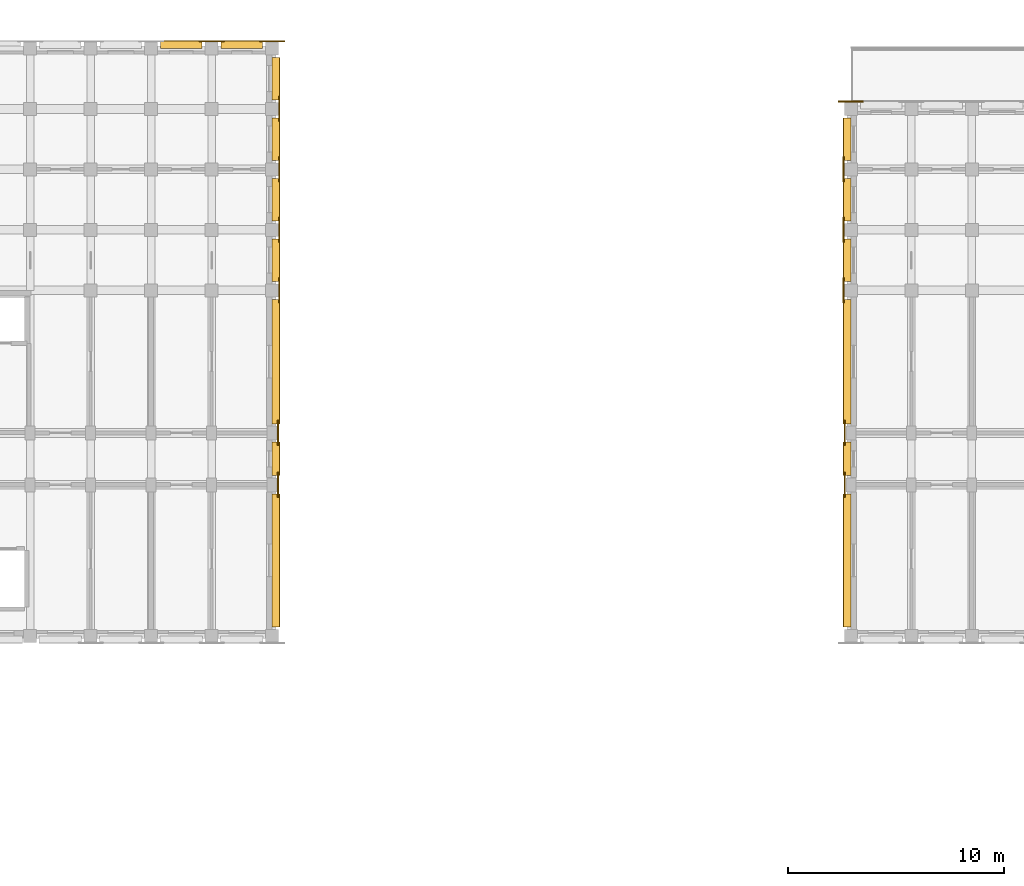
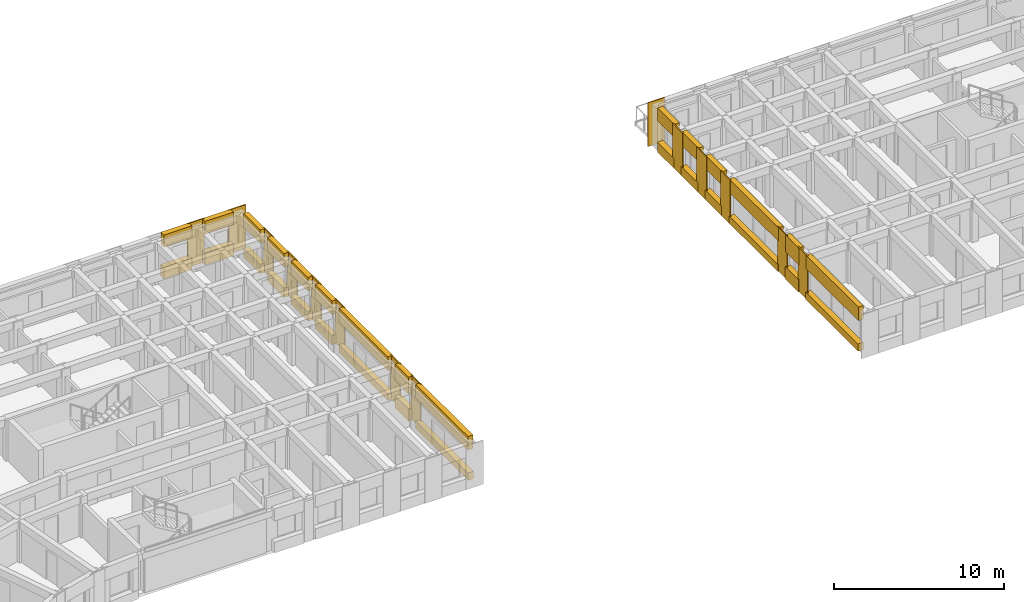
# One storey, part 48 of 53: 44 coverings.
"""IFC4 building model written with IfcOpenShell, lengths in metres."""

from ifc_helpers import new_model, si_unit, direction, frame, origin, place, context, subcontext, project, spatial, polyline, outline, extrude, material, layer, layer_set, type_object, element, save


model = new_model("IFC4")

# Units and contexts
model_context = context("Model", 3, precision=1e-05, world=origin(), true_north=direction((0.0, 1.0)))
body_context = subcontext(model_context, "Body", "Model", "MODEL_VIEW")
ifc_project = project(units=[si_unit("LENGTHUNIT", "METRE"), si_unit("AREAUNIT", "SQUARE_METRE"), si_unit("VOLUMEUNIT", "CUBIC_METRE"), si_unit("PLANEANGLEUNIT", "RADIAN"), si_unit("MASSUNIT", "GRAM", prefix="KILO")], contexts=[model_context])

# Site, building, storey
site_placement = place(None, origin())
site = spatial("IfcSite", under=ifc_project, at=site_placement, CompositionType="ELEMENT")
building_placement = place(site_placement, origin())
building = spatial("IfcBuilding", under=site, at=building_placement, Name="Kiranvali Square Residences", CompositionType="ELEMENT")
storey_placement = place(building_placement, frame((0.0, 0.0, 30.75)))
storey = spatial("IfcBuildingStorey", under=building, at=storey_placement, Name="L09", CompositionType="ELEMENT", Elevation=30.75)

# Coverings
ifc_material = material(Name="Honed Porbandar limestone ashlar facade cladding", Category="masonry")
ifc_layer_1 = layer(ifc_material, 0.054931640625)
ifc_layer_set_1 = layer_set([ifc_layer_1], Name="Honed Porbandar limestone ashlar facade cladding")
covering_type_1 = type_object("IfcCoveringType", Name="COV-CLAD-PIER-UP", PredefinedType="CLADDING", material=ifc_layer_set_1)
covering_1_placement = place(storey_placement, frame((0.0, 0.0, 0.0048828125)))
element("IfcCovering", 1, at=covering_1_placement, inside=storey, type_object=covering_type_1, Name="L09 Classical limestone pilaster casing CLAD-PR-A-L09-U195", PredefinedType="CLADDING", context=body_context, shape_type="SweptSolid", body=[
    extrude(outline(polyline([(67.219970703125, 134.1005859375), (68.3798828125, 134.1005859375), (68.3798828125, 134.16796875), (67.219970703125, 134.16796875), (67.219970703125, 134.1005859375)])), origin(), (0.0, 0.0, 1.0), 3.14013671875),
])
covering_2_placement = place(storey_placement, frame((0.0, 0.0, 0.0048828125)))
element("IfcCovering", 2, at=covering_2_placement, inside=storey, type_object=covering_type_1, Name="L09 Classical limestone pilaster casing CLAD-PR-A-L09-U224", PredefinedType="CLADDING", context=body_context, shape_type="SweptSolid", body=[
    extrude(outline(polyline([(70.02001953125, 134.1005859375), (71.179931640625, 134.1005859375), (71.179931640625, 134.16796875), (70.02001953125, 134.16796875), (70.02001953125, 134.1005859375)])), origin(), (0.0, 0.0, 1.0), 3.14013671875),
])
covering_3_placement = place(storey_placement, frame((0.0, 0.0, 0.0048828125)))
element("IfcCovering", 3, at=covering_3_placement, inside=storey, type_object=covering_type_1, Name="L09 Classical limestone pilaster casing CLAD-PRA1E-A-L09-R258", PredefinedType="CLADDING", context=body_context, shape_type="SweptSolid", body=[
    extrude(outline(polyline([(70.91796875, 113.02001953125), (70.91796875, 114.179931640625), (70.8505859375, 114.179931640625), (70.8505859375, 113.02001953125), (70.91796875, 113.02001953125)])), origin(), (0.0, 0.0, 1.0), 3.14013671875),
])
covering_4_placement = place(storey_placement, frame((0.0, 0.0, 0.0048828125)))
element("IfcCovering", 4, at=covering_4_placement, inside=storey, type_object=covering_type_1, Name="L09 Classical limestone pilaster casing CLAD-PRA1E-A-L09-R282", PredefinedType="CLADDING", context=body_context, shape_type="SweptSolid", body=[
    extrude(outline(polyline([(70.91796875, 115.419921875), (70.91796875, 116.580078125), (70.8505859375, 116.580078125), (70.8505859375, 115.419921875), (70.91796875, 115.419921875)])), origin(), (0.0, 0.0, 1.0), 3.14013671875),
])
covering_5_placement = place(storey_placement, frame((0.0, 0.0, 0.0048828125)))
element("IfcCovering", 5, at=covering_5_placement, inside=storey, type_object=covering_type_1, Name="L09 Classical limestone pilaster casing CLAD-PRA1E-A-L09-R348", PredefinedType="CLADDING", context=body_context, shape_type="SweptSolid", body=[
    extrude(outline(polyline([(70.968017578125, 122.02001953125), (70.968017578125, 123.179931640625), (70.900390625, 123.179931640625), (70.900390625, 122.02001953125), (70.968017578125, 122.02001953125)])), origin(), (0.0, 0.0, 1.0), 3.14013671875),
])
covering_6_placement = place(storey_placement, frame((0.0, 0.0, 0.0048828125)))
element("IfcCovering", 6, at=covering_6_placement, inside=storey, type_object=covering_type_1, Name="L09 Classical limestone pilaster casing CLAD-PRA1E-A-L09-R376", PredefinedType="CLADDING", context=body_context, shape_type="SweptSolid", body=[
    extrude(outline(polyline([(70.968017578125, 124.820068359375), (70.968017578125, 125.97998046875), (70.900390625, 125.97998046875), (70.900390625, 124.820068359375), (70.968017578125, 124.820068359375)])), origin(), (0.0, 0.0, 1.0), 3.14013671875),
])
covering_7_placement = place(storey_placement, frame((0.0, 0.0, 0.0048828125)))
element("IfcCovering", 7, at=covering_7_placement, inside=storey, type_object=covering_type_1, Name="L09 Classical limestone pilaster casing CLAD-PRA1E-A-L09-R404", PredefinedType="CLADDING", context=body_context, shape_type="SweptSolid", body=[
    extrude(outline(polyline([(70.968017578125, 127.6201171875), (70.968017578125, 128.780029296875), (70.900390625, 128.780029296875), (70.900390625, 127.6201171875), (70.968017578125, 127.6201171875)])), origin(), (0.0, 0.0, 1.0), 3.14013671875),
])
covering_8_placement = place(storey_placement, frame((0.0, 0.0, 0.0048828125)))
element("IfcCovering", 8, at=covering_8_placement, inside=storey, type_object=covering_type_1, Name="L09 Classical limestone pilaster casing CLAD-PRA1E-A-L09-R432", PredefinedType="CLADDING", context=body_context, shape_type="SweptSolid", body=[
    extrude(outline(polyline([(70.968017578125, 130.419921875), (70.968017578125, 131.580078125), (70.900390625, 131.580078125), (70.900390625, 130.419921875), (70.968017578125, 130.419921875)])), origin(), (0.0, 0.0, 1.0), 3.14013671875),
])
covering_9_placement = place(storey_placement, frame((0.0, 0.0, 0.0048828125)))
element("IfcCovering", 9, at=covering_9_placement, inside=storey, type_object=covering_type_1, Name="L09 Classical limestone pilaster casing CLAD-PR-B-L09-U224", PredefinedType="CLADDING", context=body_context, shape_type="SweptSolid", body=[
    extrude(outline(polyline([(97.97998046875, 131.367919921875), (96.820068359375, 131.367919921875), (96.820068359375, 131.300537109375), (97.97998046875, 131.300537109375), (97.97998046875, 131.367919921875)])), origin(), (0.0, 0.0, 1.0), 3.14013671875),
])
covering_10_placement = place(storey_placement, frame((0.0, 0.0, 0.0048828125)))
element("IfcCovering", 10, at=covering_10_placement, inside=storey, type_object=covering_type_1, Name="L09 Classical limestone pilaster casing CLAD-PRA1E-B-L09-R258", PredefinedType="CLADDING", context=body_context, shape_type="SweptSolid", body=[
    extrude(outline(polyline([(97.1494140625, 113.02001953125), (97.1494140625, 114.179931640625), (97.08203125, 114.179931640625), (97.08203125, 113.02001953125), (97.1494140625, 113.02001953125)])), origin(), (0.0, 0.0, 1.0), 3.14013671875),
])
covering_11_placement = place(storey_placement, frame((0.0, 0.0, 0.0048828125)))
element("IfcCovering", 11, at=covering_11_placement, inside=storey, type_object=covering_type_1, Name="L09 Classical limestone pilaster casing CLAD-PRA1E-B-L09-R282", PredefinedType="CLADDING", context=body_context, shape_type="SweptSolid", body=[
    extrude(outline(polyline([(97.1494140625, 115.419921875), (97.1494140625, 116.580078125), (97.08203125, 116.580078125), (97.08203125, 115.419921875), (97.1494140625, 115.419921875)])), origin(), (0.0, 0.0, 1.0), 3.14013671875),
])
covering_12_placement = place(storey_placement, frame((0.0, 0.0, 0.0048828125)))
element("IfcCovering", 12, at=covering_12_placement, inside=storey, type_object=covering_type_1, Name="L09 Classical limestone pilaster casing CLAD-PRA1E-B-L09-R348", PredefinedType="CLADDING", context=body_context, shape_type="SweptSolid", body=[
    extrude(outline(polyline([(97.099609375, 122.02001953125), (97.099609375, 123.179931640625), (97.031982421875, 123.179931640625), (97.031982421875, 122.02001953125), (97.099609375, 122.02001953125)])), origin(), (0.0, 0.0, 1.0), 3.14013671875),
])
covering_13_placement = place(storey_placement, frame((0.0, 0.0, 0.0048828125)))
element("IfcCovering", 13, at=covering_13_placement, inside=storey, type_object=covering_type_1, Name="L09 Classical limestone pilaster casing CLAD-PRA1E-B-L09-R376", PredefinedType="CLADDING", context=body_context, shape_type="SweptSolid", body=[
    extrude(outline(polyline([(97.099609375, 124.820068359375), (97.099609375, 125.97998046875), (97.031982421875, 125.97998046875), (97.031982421875, 124.820068359375), (97.099609375, 124.820068359375)])), origin(), (0.0, 0.0, 1.0), 3.14013671875),
])
covering_14_placement = place(storey_placement, frame((0.0, 0.0, 0.0048828125)))
element("IfcCovering", 14, at=covering_14_placement, inside=storey, type_object=covering_type_1, Name="L09 Classical limestone pilaster casing CLAD-PRA1E-B-L09-R404", PredefinedType="CLADDING", context=body_context, shape_type="SweptSolid", body=[
    extrude(outline(polyline([(97.099609375, 127.6201171875), (97.099609375, 128.780029296875), (97.031982421875, 128.780029296875), (97.031982421875, 127.6201171875), (97.099609375, 127.6201171875)])), origin(), (0.0, 0.0, 1.0), 3.14013671875),
])
ifc_layer_2 = layer(ifc_material, 0.360107421875)
ifc_layer_set_2 = layer_set([ifc_layer_2], Name="Honed Porbandar limestone ashlar facade cladding")
covering_type_2 = type_object("IfcCoveringType", Name="COV-CLAD-WALL", PredefinedType="CLADDING", material=ifc_layer_set_2)
covering_15_placement = place(storey_placement, frame((0.0, 0.0, 2.27197265625)))
element("IfcCovering", 15, at=covering_15_placement, inside=storey, type_object=covering_type_2, Name="L09 light limestone spandrel lintel A-L09-A1O-4", PredefinedType="CLADDING", context=body_context, shape_type="SweptSolid", body=[
    extrude(outline(polyline([(65.43994140625, 133.800537109375), (67.360107421875, 133.800537109375), (67.360107421875, 134.14990234375), (65.43994140625, 134.14990234375), (65.43994140625, 133.800537109375)])), origin(), (0.0, 0.0, 1.0), 0.873046875),
])
covering_16_placement = place(storey_placement, frame((0.0, 0.0, 0.0048828125)))
element("IfcCovering", 16, at=covering_16_placement, inside=storey, type_object=covering_type_2, Name="L09 limestone window sill apron A-L09-A1O-4", PredefinedType="CLADDING", context=body_context, shape_type="SweptSolid", body=[
    extrude(outline(polyline([(65.43994140625, 133.800537109375), (67.360107421875, 133.800537109375), (67.360107421875, 134.179931640625), (65.43994140625, 134.179931640625), (65.43994140625, 133.800537109375)])), origin(), (0.0, 0.0, 1.0), 0.817138671875),
])
covering_17_placement = place(storey_placement, frame((0.0, 0.0, 2.22998046875)))
element("IfcCovering", 17, at=covering_17_placement, inside=storey, type_object=covering_type_2, Name="L09 light limestone spandrel lintel A-L09-A1O-5", PredefinedType="CLADDING", context=body_context, shape_type="SweptSolid", body=[
    extrude(outline(polyline([(68.239990234375, 133.800537109375), (70.159912109375, 133.800537109375), (70.159912109375, 134.14990234375), (68.239990234375, 134.14990234375), (68.239990234375, 133.800537109375)])), origin(), (0.0, 0.0, 1.0), 0.9150390625),
])
covering_18_placement = place(storey_placement, frame((0.0, 0.0, 0.0048828125)))
element("IfcCovering", 18, at=covering_18_placement, inside=storey, type_object=covering_type_2, Name="L09 limestone window sill apron A-L09-A1O-5", PredefinedType="CLADDING", context=body_context, shape_type="SweptSolid", body=[
    extrude(outline(polyline([(68.239990234375, 133.800537109375), (70.159912109375, 133.800537109375), (70.159912109375, 134.179931640625), (68.239990234375, 134.179931640625), (68.239990234375, 133.800537109375)])), origin(), (0.0, 0.0, 1.0), 0.875),
])
covering_19_placement = place(storey_placement, frame((0.0, 0.0, 2.172119140625)))
element("IfcCovering", 19, at=covering_19_placement, inside=storey, type_object=covering_type_2, Name="L09 light limestone spandrel lintel A-L09-A1END-0", PredefinedType="CLADDING", context=body_context, shape_type="SweptSolid", body=[
    extrude(outline(polyline([(70.93994140625, 107.02001953125), (70.93994140625, 113.179931640625), (70.6005859375, 113.179931640625), (70.6005859375, 107.02001953125), (70.93994140625, 107.02001953125)])), origin(), (0.0, 0.0, 1.0), 0.972900390625),
])
covering_20_placement = place(storey_placement, frame((0.0, 0.0, 0.0048828125)))
element("IfcCovering", 20, at=covering_20_placement, inside=storey, type_object=covering_type_2, Name="L09 limestone window sill apron A-L09-A1END-0", PredefinedType="CLADDING", context=body_context, shape_type="SweptSolid", body=[
    extrude(outline(polyline([(70.969970703125, 107.02001953125), (70.969970703125, 113.179931640625), (70.6005859375, 113.179931640625), (70.6005859375, 107.02001953125), (70.969970703125, 107.02001953125)])), origin(), (0.0, 0.0, 1.0), 0.51708984375),
])
covering_21_placement = place(storey_placement, frame((0.0, 0.0, 1.929931640625)))
element("IfcCovering", 21, at=covering_21_placement, inside=storey, type_object=covering_type_2, Name="L09 light limestone spandrel lintel A-L09-A1END-1", PredefinedType="CLADDING", context=body_context, shape_type="SweptSolid", body=[
    extrude(outline(polyline([(70.93994140625, 114.02001953125), (70.93994140625, 115.580078125), (70.6005859375, 115.580078125), (70.6005859375, 114.02001953125), (70.93994140625, 114.02001953125)])), origin(), (0.0, 0.0, 1.0), 1.215087890625),
])
covering_22_placement = place(storey_placement, frame((0.0, 0.0, 0.0048828125)))
element("IfcCovering", 22, at=covering_22_placement, inside=storey, type_object=covering_type_2, Name="L09 limestone window sill apron A-L09-A1END-1", PredefinedType="CLADDING", context=body_context, shape_type="SweptSolid", body=[
    extrude(outline(polyline([(70.969970703125, 114.02001953125), (70.969970703125, 115.580078125), (70.6005859375, 115.580078125), (70.6005859375, 114.02001953125), (70.969970703125, 114.02001953125)])), origin(), (0.0, 0.0, 1.0), 0.875),
])
covering_23_placement = place(storey_placement, frame((0.0, 0.0, 2.172119140625)))
element("IfcCovering", 23, at=covering_23_placement, inside=storey, type_object=covering_type_2, Name="L09 light limestone spandrel lintel A-L09-A1END-2", PredefinedType="CLADDING", context=body_context, shape_type="SweptSolid", body=[
    extrude(outline(polyline([(70.93994140625, 116.419921875), (70.93994140625, 122.179931640625), (70.6005859375, 122.179931640625), (70.6005859375, 116.419921875), (70.93994140625, 116.419921875)])), origin(), (0.0, 0.0, 1.0), 0.972900390625),
])
covering_24_placement = place(storey_placement, frame((0.0, 0.0, 0.0048828125)))
element("IfcCovering", 24, at=covering_24_placement, inside=storey, type_object=covering_type_2, Name="L09 limestone window sill apron A-L09-A1END-2", PredefinedType="CLADDING", context=body_context, shape_type="SweptSolid", body=[
    extrude(outline(polyline([(70.969970703125, 116.419921875), (70.969970703125, 122.179931640625), (70.6005859375, 122.179931640625), (70.6005859375, 116.419921875), (70.969970703125, 116.419921875)])), origin(), (0.0, 0.0, 1.0), 0.51708984375),
])
covering_25_placement = place(storey_placement, frame((0.0, 0.0, 2.172119140625)))
element("IfcCovering", 25, at=covering_25_placement, inside=storey, type_object=covering_type_2, Name="L09 light limestone spandrel lintel A-L09-A1END-3", PredefinedType="CLADDING", context=body_context, shape_type="SweptSolid", body=[
    extrude(outline(polyline([(70.93994140625, 123.02001953125), (70.93994140625, 124.97998046875), (70.6005859375, 124.97998046875), (70.6005859375, 123.02001953125), (70.93994140625, 123.02001953125)])), origin(), (0.0, 0.0, 1.0), 0.972900390625),
])
covering_26_placement = place(storey_placement, frame((0.0, 0.0, 0.0048828125)))
element("IfcCovering", 26, at=covering_26_placement, inside=storey, type_object=covering_type_2, Name="L09 limestone window sill apron A-L09-A1END-3", PredefinedType="CLADDING", context=body_context, shape_type="SweptSolid", body=[
    extrude(outline(polyline([(70.969970703125, 123.02001953125), (70.969970703125, 124.97998046875), (70.6005859375, 124.97998046875), (70.6005859375, 123.02001953125), (70.969970703125, 123.02001953125)])), origin(), (0.0, 0.0, 1.0), 0.667236328125),
])
covering_27_placement = place(storey_placement, frame((0.0, 0.0, 2.172119140625)))
element("IfcCovering", 27, at=covering_27_placement, inside=storey, type_object=covering_type_2, Name="L09 light limestone spandrel lintel A-L09-A1END-4", PredefinedType="CLADDING", context=body_context, shape_type="SweptSolid", body=[
    extrude(outline(polyline([(70.93994140625, 125.820068359375), (70.93994140625, 127.780029296875), (70.6005859375, 127.780029296875), (70.6005859375, 125.820068359375), (70.93994140625, 125.820068359375)])), origin(), (0.0, 0.0, 1.0), 0.972900390625),
])
covering_28_placement = place(storey_placement, frame((0.0, 0.0, 0.0048828125)))
element("IfcCovering", 28, at=covering_28_placement, inside=storey, type_object=covering_type_2, Name="L09 limestone window sill apron A-L09-A1END-4", PredefinedType="CLADDING", context=body_context, shape_type="SweptSolid", body=[
    extrude(outline(polyline([(70.969970703125, 125.820068359375), (70.969970703125, 127.780029296875), (70.6005859375, 127.780029296875), (70.6005859375, 125.820068359375), (70.969970703125, 125.820068359375)])), origin(), (0.0, 0.0, 1.0), 0.667236328125),
])
covering_29_placement = place(storey_placement, frame((0.0, 0.0, 2.172119140625)))
element("IfcCovering", 29, at=covering_29_placement, inside=storey, type_object=covering_type_2, Name="L09 light limestone spandrel lintel A-L09-A1END-5", PredefinedType="CLADDING", context=body_context, shape_type="SweptSolid", body=[
    extrude(outline(polyline([(70.93994140625, 128.6201171875), (70.93994140625, 130.580078125), (70.6005859375, 130.580078125), (70.6005859375, 128.6201171875), (70.93994140625, 128.6201171875)])), origin(), (0.0, 0.0, 1.0), 0.972900390625),
])
covering_30_placement = place(storey_placement, frame((0.0, 0.0, 0.0048828125)))
element("IfcCovering", 30, at=covering_30_placement, inside=storey, type_object=covering_type_2, Name="L09 limestone window sill apron A-L09-A1END-5", PredefinedType="CLADDING", context=body_context, shape_type="SweptSolid", body=[
    extrude(outline(polyline([(70.969970703125, 128.6201171875), (70.969970703125, 130.580078125), (70.6005859375, 130.580078125), (70.6005859375, 128.6201171875), (70.969970703125, 128.6201171875)])), origin(), (0.0, 0.0, 1.0), 0.667236328125),
])
covering_31_placement = place(storey_placement, frame((0.0, 0.0, 2.172119140625)))
element("IfcCovering", 31, at=covering_31_placement, inside=storey, type_object=covering_type_2, Name="L09 light limestone spandrel lintel A-L09-A1END-6", PredefinedType="CLADDING", context=body_context, shape_type="SweptSolid", body=[
    extrude(outline(polyline([(70.93994140625, 131.419921875), (70.93994140625, 133.3798828125), (70.6005859375, 133.3798828125), (70.6005859375, 131.419921875), (70.93994140625, 131.419921875)])), origin(), (0.0, 0.0, 1.0), 0.972900390625),
])
covering_32_placement = place(storey_placement, frame((0.0, 0.0, 0.0048828125)))
element("IfcCovering", 32, at=covering_32_placement, inside=storey, type_object=covering_type_2, Name="L09 limestone window sill apron A-L09-A1END-6", PredefinedType="CLADDING", context=body_context, shape_type="SweptSolid", body=[
    extrude(outline(polyline([(70.969970703125, 131.419921875), (70.969970703125, 133.3798828125), (70.6005859375, 133.3798828125), (70.6005859375, 131.419921875), (70.969970703125, 131.419921875)])), origin(), (0.0, 0.0, 1.0), 0.667236328125),
])
covering_33_placement = place(storey_placement, frame((0.0, 0.0, 2.172119140625)))
element("IfcCovering", 33, at=covering_33_placement, inside=storey, type_object=covering_type_2, Name="L09 light limestone spandrel lintel B-L09-A1END-0", PredefinedType="CLADDING", context=body_context, shape_type="SweptSolid", body=[
    extrude(outline(polyline([(97.3994140625, 107.02001953125), (97.3994140625, 113.179931640625), (97.06005859375, 113.179931640625), (97.06005859375, 107.02001953125), (97.3994140625, 107.02001953125)])), origin(), (0.0, 0.0, 1.0), 0.972900390625),
])
covering_34_placement = place(storey_placement, frame((0.0, 0.0, 0.0048828125)))
element("IfcCovering", 34, at=covering_34_placement, inside=storey, type_object=covering_type_2, Name="L09 limestone window sill apron B-L09-A1END-0", PredefinedType="CLADDING", context=body_context, shape_type="SweptSolid", body=[
    extrude(outline(polyline([(97.3994140625, 107.02001953125), (97.3994140625, 113.179931640625), (97.030029296875, 113.179931640625), (97.030029296875, 107.02001953125), (97.3994140625, 107.02001953125)])), origin(), (0.0, 0.0, 1.0), 0.51708984375),
])
covering_35_placement = place(storey_placement, frame((0.0, 0.0, 1.929931640625)))
element("IfcCovering", 35, at=covering_35_placement, inside=storey, type_object=covering_type_2, Name="L09 light limestone spandrel lintel B-L09-A1END-1", PredefinedType="CLADDING", context=body_context, shape_type="SweptSolid", body=[
    extrude(outline(polyline([(97.3994140625, 114.02001953125), (97.3994140625, 115.580078125), (97.06005859375, 115.580078125), (97.06005859375, 114.02001953125), (97.3994140625, 114.02001953125)])), origin(), (0.0, 0.0, 1.0), 1.215087890625),
])
covering_36_placement = place(storey_placement, frame((0.0, 0.0, 0.0048828125)))
element("IfcCovering", 36, at=covering_36_placement, inside=storey, type_object=covering_type_2, Name="L09 limestone window sill apron B-L09-A1END-1", PredefinedType="CLADDING", context=body_context, shape_type="SweptSolid", body=[
    extrude(outline(polyline([(97.3994140625, 114.02001953125), (97.3994140625, 115.580078125), (97.030029296875, 115.580078125), (97.030029296875, 114.02001953125), (97.3994140625, 114.02001953125)])), origin(), (0.0, 0.0, 1.0), 0.875),
])
covering_37_placement = place(storey_placement, frame((0.0, 0.0, 2.172119140625)))
element("IfcCovering", 37, at=covering_37_placement, inside=storey, type_object=covering_type_2, Name="L09 light limestone spandrel lintel B-L09-A1END-2", PredefinedType="CLADDING", context=body_context, shape_type="SweptSolid", body=[
    extrude(outline(polyline([(97.3994140625, 116.419921875), (97.3994140625, 122.179931640625), (97.06005859375, 122.179931640625), (97.06005859375, 116.419921875), (97.3994140625, 116.419921875)])), origin(), (0.0, 0.0, 1.0), 0.972900390625),
])
covering_38_placement = place(storey_placement, frame((0.0, 0.0, 0.0048828125)))
element("IfcCovering", 38, at=covering_38_placement, inside=storey, type_object=covering_type_2, Name="L09 limestone window sill apron B-L09-A1END-2", PredefinedType="CLADDING", context=body_context, shape_type="SweptSolid", body=[
    extrude(outline(polyline([(97.3994140625, 116.419921875), (97.3994140625, 122.179931640625), (97.030029296875, 122.179931640625), (97.030029296875, 116.419921875), (97.3994140625, 116.419921875)])), origin(), (0.0, 0.0, 1.0), 0.51708984375),
])
covering_39_placement = place(storey_placement, frame((0.0, 0.0, 2.172119140625)))
element("IfcCovering", 39, at=covering_39_placement, inside=storey, type_object=covering_type_2, Name="L09 light limestone spandrel lintel B-L09-A1END-3", PredefinedType="CLADDING", context=body_context, shape_type="SweptSolid", body=[
    extrude(outline(polyline([(97.3994140625, 123.02001953125), (97.3994140625, 124.97998046875), (97.06005859375, 124.97998046875), (97.06005859375, 123.02001953125), (97.3994140625, 123.02001953125)])), origin(), (0.0, 0.0, 1.0), 0.972900390625),
])
covering_40_placement = place(storey_placement, frame((0.0, 0.0, 0.0048828125)))
element("IfcCovering", 40, at=covering_40_placement, inside=storey, type_object=covering_type_2, Name="L09 limestone window sill apron B-L09-A1END-3", PredefinedType="CLADDING", context=body_context, shape_type="SweptSolid", body=[
    extrude(outline(polyline([(97.3994140625, 123.02001953125), (97.3994140625, 124.97998046875), (97.030029296875, 124.97998046875), (97.030029296875, 123.02001953125), (97.3994140625, 123.02001953125)])), origin(), (0.0, 0.0, 1.0), 0.667236328125),
])
covering_41_placement = place(storey_placement, frame((0.0, 0.0, 2.172119140625)))
element("IfcCovering", 41, at=covering_41_placement, inside=storey, type_object=covering_type_2, Name="L09 light limestone spandrel lintel B-L09-A1END-4", PredefinedType="CLADDING", context=body_context, shape_type="SweptSolid", body=[
    extrude(outline(polyline([(97.3994140625, 125.820068359375), (97.3994140625, 127.780029296875), (97.06005859375, 127.780029296875), (97.06005859375, 125.820068359375), (97.3994140625, 125.820068359375)])), origin(), (0.0, 0.0, 1.0), 0.972900390625),
])
covering_42_placement = place(storey_placement, frame((0.0, 0.0, 0.0048828125)))
element("IfcCovering", 42, at=covering_42_placement, inside=storey, type_object=covering_type_2, Name="L09 limestone window sill apron B-L09-A1END-4", PredefinedType="CLADDING", context=body_context, shape_type="SweptSolid", body=[
    extrude(outline(polyline([(97.3994140625, 125.820068359375), (97.3994140625, 127.780029296875), (97.030029296875, 127.780029296875), (97.030029296875, 125.820068359375), (97.3994140625, 125.820068359375)])), origin(), (0.0, 0.0, 1.0), 0.667236328125),
])
covering_43_placement = place(storey_placement, frame((0.0, 0.0, 2.2119140625)))
element("IfcCovering", 43, at=covering_43_placement, inside=storey, type_object=covering_type_2, Name="L09 light limestone spandrel lintel B-L09-A1END-5", PredefinedType="CLADDING", context=body_context, shape_type="SweptSolid", body=[
    extrude(outline(polyline([(97.3994140625, 128.6201171875), (97.3994140625, 130.580078125), (97.06005859375, 130.580078125), (97.06005859375, 128.6201171875), (97.3994140625, 128.6201171875)])), origin(), (0.0, 0.0, 1.0), 0.93310546875),
])
covering_44_placement = place(storey_placement, frame((0.0, 0.0, 0.0048828125)))
element("IfcCovering", 44, at=covering_44_placement, inside=storey, type_object=covering_type_2, Name="L09 limestone window sill apron B-L09-A1END-5", PredefinedType="CLADDING", context=body_context, shape_type="SweptSolid", body=[
    extrude(outline(polyline([(97.3994140625, 128.6201171875), (97.3994140625, 130.580078125), (97.030029296875, 130.580078125), (97.030029296875, 128.6201171875), (97.3994140625, 128.6201171875)])), origin(), (0.0, 0.0, 1.0), 0.70703125),
])

save(model, "model.ifc")
